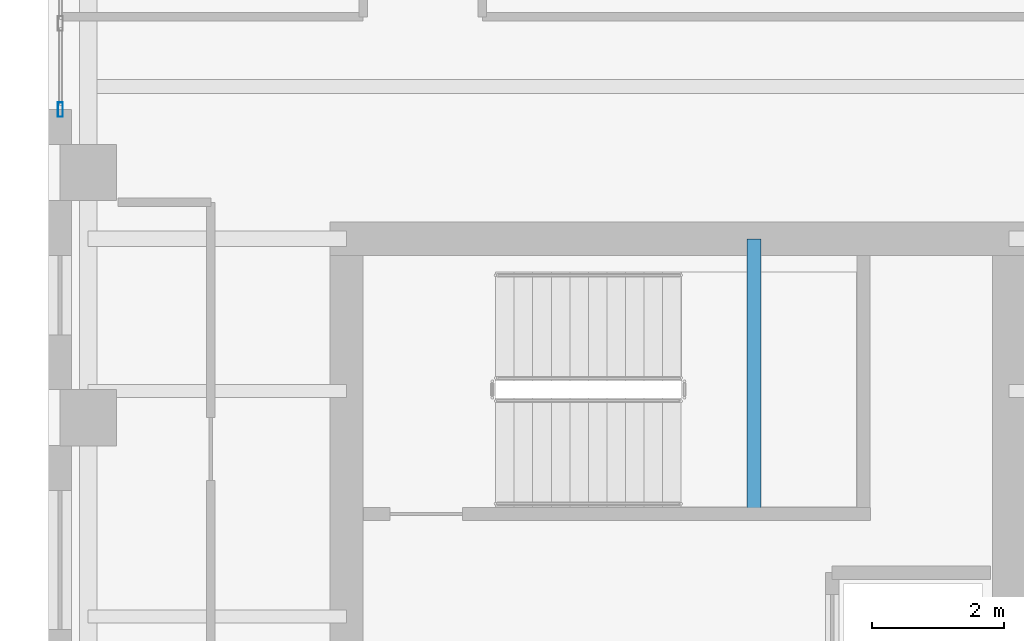
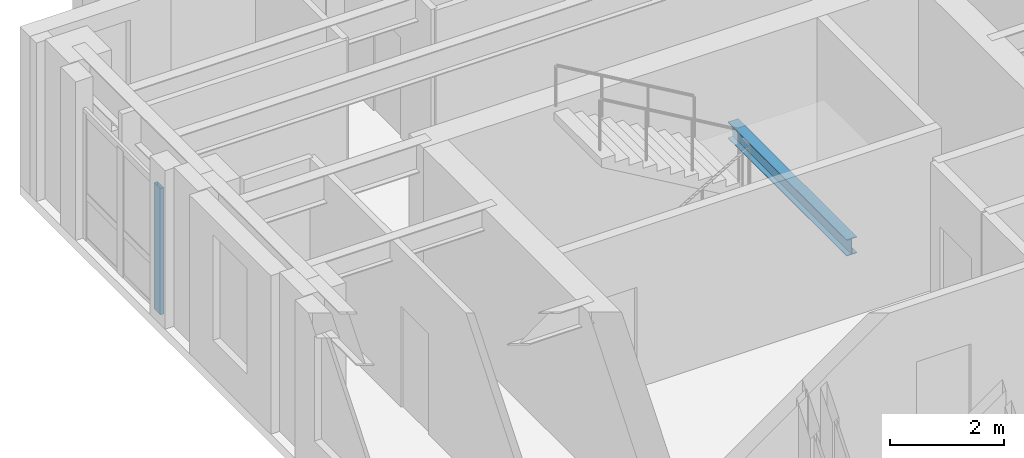
# One storey, part 2 of 13: 1 beam, 1 member, 1 element without a shape of its own.
"""IFC4 building model written with IfcOpenShell, lengths in metres."""

from ifc_helpers import new_model, si_unit, direction, frame, origin, origin_2d, place, context, subcontext, project, spatial, hollow_rectangle, i_section, extrude, source, transform, mapped, material, layer, layer_set, material_profile, profile_set, type_object, element, aggregate, save


model = new_model("IFC4")

# Units and contexts
model_context = context("Model", 3, precision=1e-05, world=origin(), true_north=direction((0.0, 1.0)))
body_context = subcontext(model_context, "Body", "Model", "MODEL_VIEW")
ifc_project = project(units=[si_unit("LENGTHUNIT", "METRE"), si_unit("AREAUNIT", "SQUARE_METRE"), si_unit("VOLUMEUNIT", "CUBIC_METRE"), si_unit("PLANEANGLEUNIT", "RADIAN"), si_unit("MASSUNIT", "GRAM", prefix="KILO")], contexts=[model_context])

# Site, building, storey
site_placement = place(None, origin())
site = spatial("IfcSite", under=ifc_project, at=site_placement, CompositionType="ELEMENT")
building_placement = place(site_placement, origin())
building = spatial("IfcBuilding", under=site, at=building_placement, Name="Kharzan Plaza Tower", CompositionType="ELEMENT")
storey_placement = place(building_placement, frame((0.0, 0.0, 252.0)))
storey = spatial("IfcBuildingStorey", under=building, at=storey_placement, Name="L68", CompositionType="ELEMENT", Elevation=252.0)

# Beam
ifc_material_1 = material(Name="Steel S355", Category="steel")
ifc_material_profile_1 = material_profile(ifc_material_1, i_section(OverallWidth=0.205078125, OverallDepth=0.35400390625, WebThickness=0.009521484375, FlangeThickness=0.016845703125, at=origin_2d()), Name="W360x79")
ifc_profile_set_1 = profile_set([ifc_material_profile_1], Name="Steel S355")
beam_type = type_object("IfcBeamType", Name="BM-LNT360", PredefinedType="LINTEL", material=ifc_profile_set_1)
shared_shape_1 = source(origin(), body_context, "Body", "SweptSolid", [
    extrude(i_section(OverallWidth=0.205078125, OverallDepth=0.35400390625, WebThickness=0.009521484375, FlangeThickness=0.016845703125, at=origin_2d()), origin(), (0.0, 0.0, 1.0), 4.155029296875),
])
beam_placement = place(storey_placement, frame((10.64990234375, 25.344970703125, 1.423095703125), z_axis=(0.0, 1.0, 0.0), x_axis=(-1.0, 0.0, 0.0)))
element("IfcBeam", 1, at=beam_placement, inside=storey, type_object=beam_type, Name="L68 Stair ST-2 Half-Landing Beam", PredefinedType="LINTEL", context=body_context, shape_type="MappedRepresentation", body=[
    mapped(shared_shape_1, transform((0.0, 0.0, 0.0), x_axis=(1.0, 0.0, 0.0), y_axis=(0.0, 1.0, 0.0), z_axis=(0.0, 0.0, 1.0))),
])

# Curtain wall, member
ifc_material_2 = material(Name="Unitised Bronze-Anodized Aluminium and Low-E Glass", Category="aluminium")
ifc_layer = layer(ifc_material_2, 0.199951171875)
ifc_layer_set = layer_set([ifc_layer], Name="Unitised Bronze-Anodized Aluminium and Low-E Glass")
curtain_wall_type = type_object("IfcCurtainWallType", Name="CW-EXEC-5", PredefinedType="NOTDEFINED", material=ifc_layer_set)
curtain_wall_placement = place(storey_placement, origin())
curtain_wall = element("IfcCurtainWall", 2, at=curtain_wall_placement, inside=storey, type_object=curtain_wall_type, Name="L68 Upper Executive Setback Panoramic Curtain Wall", PredefinedType="NOTDEFINED")
ifc_material_3 = material(Name="Anodized Bronze Aluminium", Category="aluminium")
ifc_material_profile_2 = material_profile(ifc_material_3, hollow_rectangle(XDim=0.074951171875, YDim=0.219970703125, WallThickness=0.00390625, at=origin_2d()), Name="ALU-M220x75x4")
ifc_profile_set_2 = profile_set([ifc_material_profile_2], Name="Anodized Bronze Aluminium")
member_type = type_object("IfcMemberType", Name="MEM-CW-MUL200", PredefinedType="MULLION", material=ifc_profile_set_2)
shared_shape_2 = source(origin(), body_context, "Body", "SweptSolid", [
    extrude(hollow_rectangle(XDim=0.074951171875, YDim=0.219970703125, WallThickness=0.00390625, at=origin_2d()), origin(), (0.0, 0.0, 1.0), 2.699951171875),
])
member_placement = place(storey_placement, frame((0.179931640625, 31.449951171875, 0.0), z_axis=(0.0, 0.0, 1.0), x_axis=(1.0, 0.0, 0.0)))
member = element("IfcMember", 3, at=member_placement, type_object=member_type, Name="L68 Curtain-Wall Mullion 00", PredefinedType="MULLION", context=body_context, shape_type="MappedRepresentation", body=[
    mapped(shared_shape_2, transform((0.0, 0.0, 0.0), x_axis=(1.0, 0.0, 0.0), y_axis=(0.0, 1.0, 0.0), z_axis=(0.0, 0.0, 1.0))),
])
aggregate(curtain_wall, [member])

save(model, "model.ifc")
